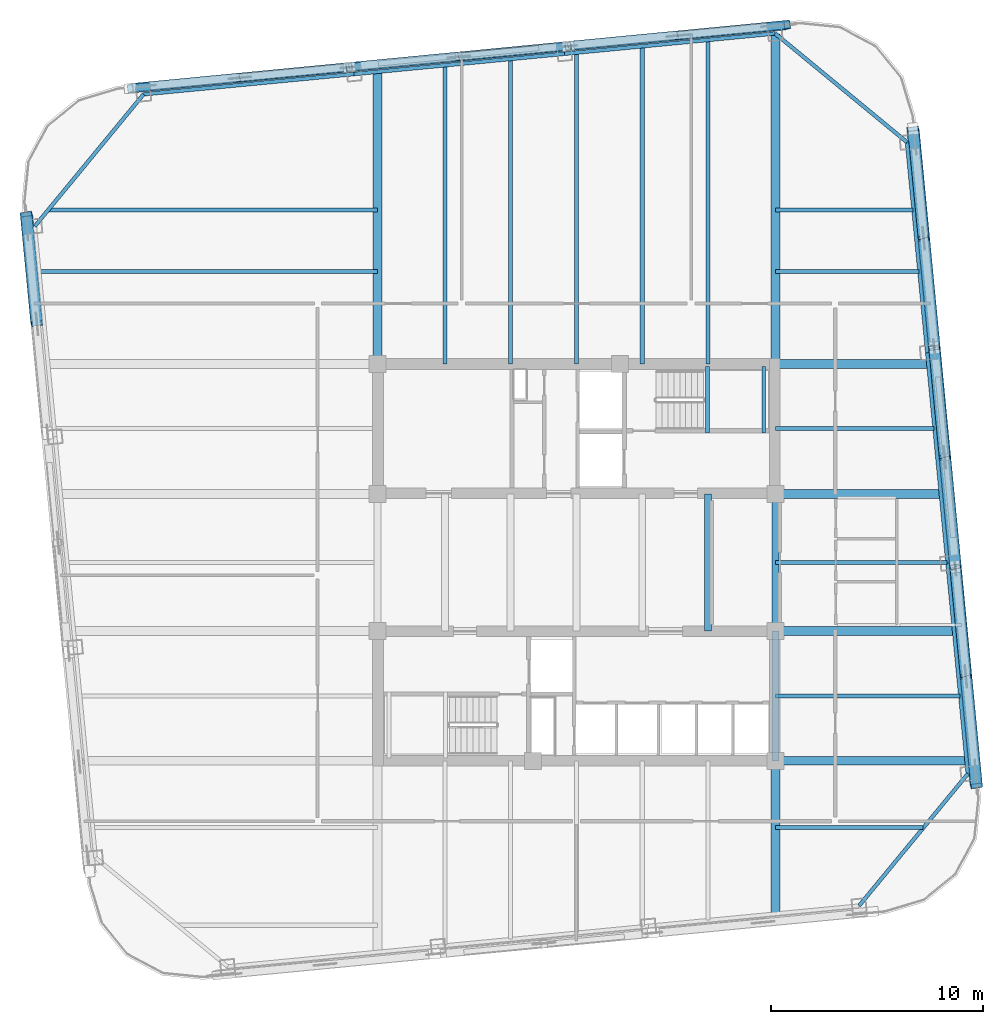
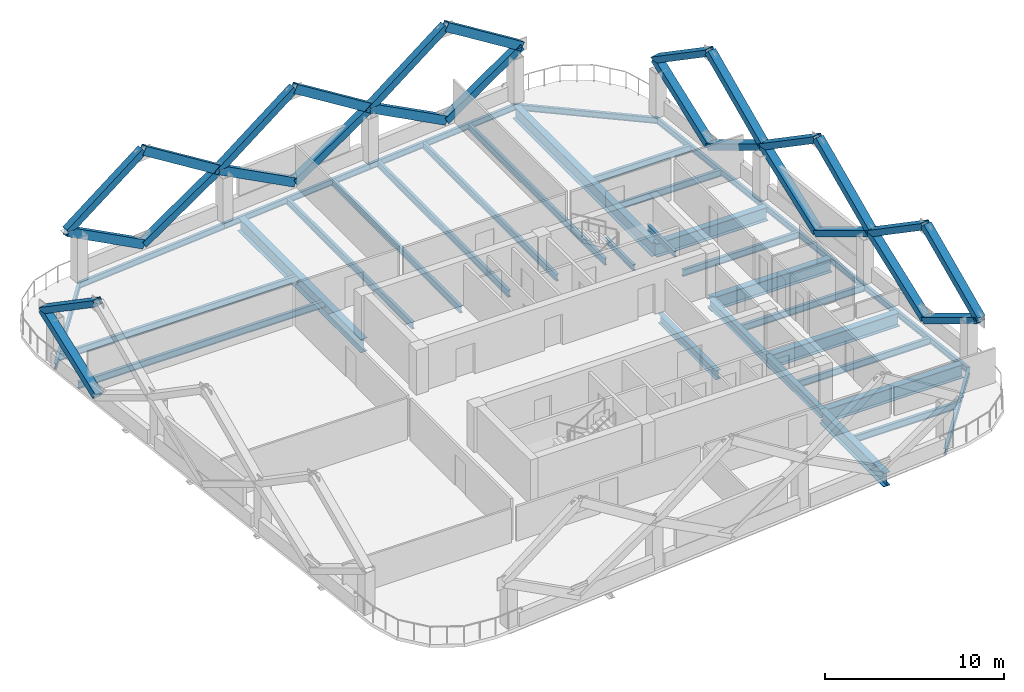
# One storey, part 2 of 9: 34 beams, 26 members.
"""IFC4 building model written with IfcOpenShell, lengths in metres."""

from ifc_helpers import new_model, si_unit, direction, frame, origin, origin_2d, place, context, subcontext, project, spatial, hollow_rectangle, i_section, extrude, material, material_profile, profile_set, type_object, element, save


model = new_model("IFC4")

# Units and contexts
model_context = context("Model", 3, precision=1e-05, world=origin(), true_north=direction((0.0, 1.0)))
body_context = subcontext(model_context, "Body", "Model", "MODEL_VIEW")
ifc_project = project(units=[si_unit("LENGTHUNIT", "METRE"), si_unit("AREAUNIT", "SQUARE_METRE"), si_unit("VOLUMEUNIT", "CUBIC_METRE"), si_unit("PLANEANGLEUNIT", "RADIAN"), si_unit("MASSUNIT", "GRAM", prefix="KILO")], contexts=[model_context])

# Site, building, storey
site_placement = place(None, origin())
site = spatial("IfcSite", under=ifc_project, at=site_placement, CompositionType="ELEMENT")
building_placement = place(site_placement, origin())
building = spatial("IfcBuilding", under=site, at=building_placement, Name="Qhalaya Broadcast Tower", CompositionType="ELEMENT")
storey_placement = place(building_placement, frame((0.0, 0.0, 180.550048828125)))
storey = spatial("IfcBuildingStorey", under=building, at=storey_placement, Name="L53", CompositionType="ELEMENT", Elevation=180.550048828125)

# Beams
ifc_material_1 = material(Name="Structural Steel ASTM A992 Grade 50", Category="steel")
ifc_material_profile_1 = material_profile(ifc_material_1, i_section(OverallWidth=0.19189453125, OverallDepth=0.462890625, WebThickness=0.010498046875, FlangeThickness=0.017578125, at=origin_2d()), Name="W18X60")
ifc_profile_set_1 = profile_set([ifc_material_profile_1], Name="Structural Steel ASTM A992 Grade 50")
beam_type_1 = type_object("IfcBeamType", Name="Composite Floor Joist J03", PredefinedType="JOIST", material=ifc_profile_set_1)
beam_1_placement = place(storey_placement, frame((-6.199951171875, 9.949951171875, -0.45166015625), z_axis=(0.0, 1.0, 0.0), x_axis=(-1.0, 0.0, 0.0)))
element("IfcBeam", 1, at=beam_1_placement, inside=storey, type_object=beam_type_1, Name="L53 J03 L53-JNN1-1", PredefinedType="JOIST", context=body_context, shape_type="SweptSolid", body=[
    extrude(i_section(OverallWidth=0.19189453125, OverallDepth=0.462890625, WebThickness=0.010498046875, FlangeThickness=0.017578125, at=origin_2d()), origin(), (0.0, 0.0, 1.0), 14.059326171875),
])
beam_2_placement = place(storey_placement, frame((-3.10009765625, 9.949951171875, -0.45166015625), z_axis=(0.0, 1.0, 0.0), x_axis=(-1.0, 0.0, 0.0)))
element("IfcBeam", 2, at=beam_2_placement, inside=storey, type_object=beam_type_1, Name="L53 J03 L53-JNN2-1", PredefinedType="JOIST", context=body_context, shape_type="SweptSolid", body=[
    extrude(i_section(OverallWidth=0.19189453125, OverallDepth=0.462890625, WebThickness=0.010498046875, FlangeThickness=0.017578125, at=origin_2d()), origin(), (0.0, 0.0, 1.0), 14.35791015625),
])
beam_3_placement = place(storey_placement, frame((0.0, 9.949951171875, -0.45166015625), z_axis=(0.0, 1.0, 0.0), x_axis=(-1.0, 0.0, 0.0)))
element("IfcBeam", 3, at=beam_3_placement, inside=storey, type_object=beam_type_1, Name="L53 J03 L53-JNN3-1", PredefinedType="JOIST", context=body_context, shape_type="SweptSolid", body=[
    extrude(i_section(OverallWidth=0.19189453125, OverallDepth=0.462890625, WebThickness=0.010498046875, FlangeThickness=0.017578125, at=origin_2d()), origin(), (0.0, 0.0, 1.0), 14.65625),
])
beam_4_placement = place(storey_placement, frame((3.10009765625, 9.949951171875, -0.45166015625), z_axis=(0.0, 1.0, 0.0), x_axis=(-1.0, 0.0, 0.0)))
element("IfcBeam", 4, at=beam_4_placement, inside=storey, type_object=beam_type_1, Name="L53 J03 L53-JNN4-1", PredefinedType="JOIST", context=body_context, shape_type="SweptSolid", body=[
    extrude(i_section(OverallWidth=0.19189453125, OverallDepth=0.462890625, WebThickness=0.010498046875, FlangeThickness=0.017578125, at=origin_2d()), origin(), (0.0, 0.0, 1.0), 14.954833984375),
])
beam_5_placement = place(storey_placement, frame((6.199951171875, 9.949951171875, -0.45166015625), z_axis=(0.0, 1.0, 0.0), x_axis=(-1.0, 0.0, 0.0)))
element("IfcBeam", 5, at=beam_5_placement, inside=storey, type_object=beam_type_1, Name="L53 J03 L53-JNN5-1", PredefinedType="JOIST", context=body_context, shape_type="SweptSolid", body=[
    extrude(i_section(OverallWidth=0.19189453125, OverallDepth=0.462890625, WebThickness=0.010498046875, FlangeThickness=0.017578125, at=origin_2d()), origin(), (0.0, 0.0, 1.0), 15.25341796875),
])
beam_6_placement = place(storey_placement, frame((9.375, -11.89990234375, -0.45166015625), z_axis=(1.0, 0.0, 0.0), x_axis=(0.0, 1.0, 0.0)))
element("IfcBeam", 6, at=beam_6_placement, inside=storey, type_object=beam_type_1, Name="L53 J03 L53-JWE2E-1", PredefinedType="JOIST", context=body_context, shape_type="SweptSolid", body=[
    extrude(i_section(OverallWidth=0.19189453125, OverallDepth=0.462890625, WebThickness=0.010498046875, FlangeThickness=0.017578125, at=origin_2d()), origin(), (0.0, 0.0, 1.0), 6.95458984375),
])
beam_7_placement = place(storey_placement, frame((9.375, -5.699951171875, -0.45166015625), z_axis=(1.0, 0.0, 0.0), x_axis=(0.0, 1.0, 0.0)))
element("IfcBeam", 7, at=beam_7_placement, inside=storey, type_object=beam_type_1, Name="L53 J03 L53-JWE3E-1", PredefinedType="JOIST", context=body_context, shape_type="SweptSolid", body=[
    extrude(i_section(OverallWidth=0.19189453125, OverallDepth=0.462890625, WebThickness=0.010498046875, FlangeThickness=0.017578125, at=origin_2d()), origin(), (0.0, 0.0, 1.0), 8.7001953125),
])
beam_8_placement = place(storey_placement, frame((9.375, 0.60009765625, -0.45166015625), z_axis=(1.0, 0.0, 0.0), x_axis=(0.0, 1.0, 0.0)))
element("IfcBeam", 8, at=beam_8_placement, inside=storey, type_object=beam_type_1, Name="L53 J03 L53-JWE4E-1", PredefinedType="JOIST", context=body_context, shape_type="SweptSolid", body=[
    extrude(i_section(OverallWidth=0.19189453125, OverallDepth=0.462890625, WebThickness=0.010498046875, FlangeThickness=0.017578125, at=origin_2d()), origin(), (0.0, 0.0, 1.0), 8.093505859375),
])
beam_9_placement = place(storey_placement, frame((9.375, 6.89990234375, -0.45166015625), z_axis=(1.0, 0.0, 0.0), x_axis=(0.0, 1.0, 0.0)))
element("IfcBeam", 9, at=beam_9_placement, inside=storey, type_object=beam_type_1, Name="L53 J03 L53-JWE5E-1", PredefinedType="JOIST", context=body_context, shape_type="SweptSolid", body=[
    extrude(i_section(OverallWidth=0.19189453125, OverallDepth=0.462890625, WebThickness=0.010498046875, FlangeThickness=0.017578125, at=origin_2d()), origin(), (0.0, 0.0, 1.0), 7.48681640625),
])
beam_10_placement = place(storey_placement, frame((-25.301513671875, 14.300048828125, -0.45166015625), z_axis=(1.0, 0.0, 0.0), x_axis=(0.0, 1.0, 0.0)))
element("IfcBeam", 10, at=beam_10_placement, inside=storey, type_object=beam_type_1, Name="L53 J03 L53-JWE6W-1", PredefinedType="JOIST", context=body_context, shape_type="SweptSolid", body=[
    extrude(i_section(OverallWidth=0.19189453125, OverallDepth=0.462890625, WebThickness=0.010498046875, FlangeThickness=0.017578125, at=origin_2d()), origin(), (0.0, 0.0, 1.0), 15.926513671875),
])
beam_11_placement = place(storey_placement, frame((9.375, 14.300048828125, -0.45166015625), z_axis=(1.0, 0.0, 0.0), x_axis=(0.0, 1.0, 0.0)))
element("IfcBeam", 11, at=beam_11_placement, inside=storey, type_object=beam_type_1, Name="L53 J03 L53-JWE6E-1", PredefinedType="JOIST", context=body_context, shape_type="SweptSolid", body=[
    extrude(i_section(OverallWidth=0.19189453125, OverallDepth=0.462890625, WebThickness=0.010498046875, FlangeThickness=0.017578125, at=origin_2d()), origin(), (0.0, 0.0, 1.0), 6.7744140625),
])
beam_12_placement = place(storey_placement, frame((-24.876953125, 17.199951171875, -0.45166015625), z_axis=(1.0, 0.0, 0.0), x_axis=(0.0, 1.0, 0.0)))
element("IfcBeam", 12, at=beam_12_placement, inside=storey, type_object=beam_type_1, Name="L53 J03 L53-JWE7W-1", PredefinedType="JOIST", context=body_context, shape_type="SweptSolid", body=[
    extrude(i_section(OverallWidth=0.19189453125, OverallDepth=0.462890625, WebThickness=0.010498046875, FlangeThickness=0.017578125, at=origin_2d()), origin(), (0.0, 0.0, 1.0), 15.501953125),
])
beam_13_placement = place(storey_placement, frame((9.375, 17.199951171875, -0.45166015625), z_axis=(1.0, 0.0, 0.0), x_axis=(0.0, 1.0, 0.0)))
element("IfcBeam", 13, at=beam_13_placement, inside=storey, type_object=beam_type_1, Name="L53 J03 L53-JWE7E-1", PredefinedType="JOIST", context=body_context, shape_type="SweptSolid", body=[
    extrude(i_section(OverallWidth=0.19189453125, OverallDepth=0.462890625, WebThickness=0.010498046875, FlangeThickness=0.017578125, at=origin_2d()), origin(), (0.0, 0.0, 1.0), 6.4951171875),
])
ifc_material_profile_2 = material_profile(ifc_material_1, i_section(OverallWidth=0.323974609375, OverallDepth=0.612060546875, WebThickness=0.0126953125, FlangeThickness=0.01904296875, at=origin_2d()), Name="W24X104")
ifc_profile_set_2 = profile_set([ifc_material_profile_2], Name="Structural Steel ASTM A992 Grade 50")
beam_type_2 = type_object("IfcBeamType", Name="Core Frame Tie Beam B04", PredefinedType="BEAM", material=ifc_profile_set_2)
beam_14_placement = place(storey_placement, frame((9.375, -8.75, -0.526123046875), z_axis=(0.0, 1.0, 0.0), x_axis=(-1.0, 0.0, 0.0)))
element("IfcBeam", 14, at=beam_14_placement, inside=storey, type_object=beam_type_2, Name="L53 B04 L53-CCS2", PredefinedType="BEAM", context=body_context, shape_type="SweptSolid", body=[
    extrude(i_section(OverallWidth=0.323974609375, OverallDepth=0.612060546875, WebThickness=0.0126953125, FlangeThickness=0.01904296875, at=origin_2d()), origin(), (0.0, 0.0, 1.0), 6.125),
])
for number, where, z_axis, x_axis, name in (
    (15, (9.375, -2.625, -0.526123046875), (0.0, 1.0, 0.0), (-1.0, 0.0, 0.0), "L53 B04 L53-CCE"),
    (16, (6.199951171875, -2.625, -0.526123046875), (0.0, 1.0, 0.0), (-1.0, 0.0, 0.0), "L53 B04 L53-JC5-1"),
):
    element("IfcBeam", number, at=place(storey_placement, frame(where, z_axis=z_axis, x_axis=x_axis)), inside=storey, type_object=beam_type_2, Name=name, PredefinedType="BEAM", context=body_context, shape_type="SweptSolid", body=[
        extrude(i_section(OverallWidth=0.323974609375, OverallDepth=0.612060546875, WebThickness=0.0126953125, FlangeThickness=0.01904296875, at=origin_2d()), origin(), (0.0, 0.0, 1.0), 6.449951171875),
    ])

# Members
ifc_material_2 = material(Name="Structural Steel ASTM A572 Grade 50", Category="steel")
ifc_material_profile_3 = material_profile(ifc_material_2, hollow_rectangle(XDim=0.39990234375, YDim=0.550048828125, WallThickness=0.02490234375, at=origin_2d()), Name="BOX 400x550x25")
ifc_profile_set_3 = profile_set([ifc_material_profile_3], Name="Structural Steel ASTM A572 Grade 50")
member_type = type_object("IfcMemberType", Name="Exoskeleton Diamond Diagonal Mid-High EX3", PredefinedType="BRACE", material=ifc_profile_set_3)
for number, where, z_axis, x_axis, name in (
    (17, (18.346923828125, -4.76708984375, 0.35986328125), (0.08330319543, -0.865084240303, 0.494661333451), (-0.142600199442, 0.480929938227, 0.865084722808), "B4 Exoskeleton Diamond Brace E1-D1"),
    (18, (18.346923828125, -4.76708984375, 0.35986328125), (-0.08330319543, 0.865084240303, 0.494661333451), (0.142600199442, -0.480929938227, 0.865084722808), "B4 Exoskeleton Diamond Brace E1-D2"),
):
    element("IfcMember", number, at=place(storey_placement, frame(where, z_axis=z_axis, x_axis=x_axis)), inside=storey, type_object=member_type, Name=name, PredefinedType="BRACE", context=body_context, shape_type="SweptSolid", body=[
        extrude(hollow_rectangle(XDim=0.39990234375, YDim=0.550048828125, WallThickness=0.02490234375, at=origin_2d()), origin(), (0.0, 0.0, 1.0), 5.964111328125),
    ])
for number, where, z_axis, x_axis, name in (
    (19, (18.84375, -9.926513671875, 3.31005859375), (-0.079934991184, 0.830106225405, 0.551846039877), (0.148056205824, -0.537589290991, 0.830106688402), "B4 Exoskeleton Diamond Brace E1-D3"),
    (20, (17.85009765625, 0.392333984375, 3.31005859375), (0.079934991184, -0.830106225405, 0.551846039877), (-0.148056205824, 0.537589290991, 0.830106688402), "B4 Exoskeleton Diamond Brace E1-D4"),
):
    element("IfcMember", number, at=place(storey_placement, frame(where, z_axis=z_axis, x_axis=x_axis)), inside=storey, type_object=member_type, Name=name, PredefinedType="BRACE", context=body_context, shape_type="SweptSolid", body=[
        extrude(hollow_rectangle(XDim=0.39990234375, YDim=0.550048828125, WallThickness=0.02490234375, at=origin_2d()), origin(), (0.0, 0.0, 1.0), 6.21533203125),
    ])
for number, where, z_axis, x_axis, name in (
    (21, (17.353515625, 5.5517578125, 0.35986328125), (0.083262544057, -0.865087189561, 0.494663019858), (-0.142577811793, 0.480938294405, 0.865083767366), "B4 Exoskeleton Diamond Brace E2-D1"),
    (22, (17.353515625, 5.5517578125, 0.35986328125), (-0.08330319543, 0.865084240303, 0.494661333451), (0.142600199442, -0.480929938227, 0.865084722808), "B4 Exoskeleton Diamond Brace E2-D2"),
):
    element("IfcMember", number, at=place(storey_placement, frame(where, z_axis=z_axis, x_axis=x_axis)), inside=storey, type_object=member_type, Name=name, PredefinedType="BRACE", context=body_context, shape_type="SweptSolid", body=[
        extrude(hollow_rectangle(XDim=0.39990234375, YDim=0.550048828125, WallThickness=0.02490234375, at=origin_2d()), origin(), (0.0, 0.0, 1.0), 5.964111328125),
    ])
for number, where, z_axis, x_axis, name in (
    (23, (17.85009765625, 0.392333984375, 3.31005859375), (-0.079895961891, 0.830108831189, 0.551847772175), (0.148031166082, -0.53759794838, 0.830105547365), "B4 Exoskeleton Diamond Brace E2-D3"),
    (24, (16.856689453125, 10.711181640625, 3.31005859375), (0.079934991184, -0.830106225405, 0.551846039877), (-0.148056205824, 0.537589290991, 0.830106688402), "B4 Exoskeleton Diamond Brace E2-D4"),
):
    element("IfcMember", number, at=place(storey_placement, frame(where, z_axis=z_axis, x_axis=x_axis)), inside=storey, type_object=member_type, Name=name, PredefinedType="BRACE", context=body_context, shape_type="SweptSolid", body=[
        extrude(hollow_rectangle(XDim=0.39990234375, YDim=0.550048828125, WallThickness=0.02490234375, at=origin_2d()), origin(), (0.0, 0.0, 1.0), 6.21533203125),
    ])
member_1_placement = place(storey_placement, frame((16.35986328125, 15.87060546875, 0.35986328125), z_axis=(0.08330319543, -0.865084240303, 0.494661333451), x_axis=(-0.142600199442, 0.480929938227, 0.865084722808)))
element("IfcMember", 25, at=member_1_placement, inside=storey, type_object=member_type, Name="B4 Exoskeleton Diamond Brace E3-D1", PredefinedType="BRACE", context=body_context, shape_type="SweptSolid", body=[
    extrude(hollow_rectangle(XDim=0.39990234375, YDim=0.550048828125, WallThickness=0.02490234375, at=origin_2d()), origin(), (0.0, 0.0, 1.0), 5.964111328125),
])
member_2_placement = place(storey_placement, frame((16.35986328125, 15.87060546875, 0.35986328125), z_axis=(-0.083300245549, 0.865094540257, 0.49464381681), x_axis=(0.142596357076, -0.480913226272, 0.865094646698)))
element("IfcMember", 26, at=member_2_placement, inside=storey, type_object=member_type, Name="B4 Exoskeleton Diamond Brace E3-D2", PredefinedType="BRACE", context=body_context, shape_type="SweptSolid", body=[
    extrude(hollow_rectangle(XDim=0.39990234375, YDim=0.550048828125, WallThickness=0.02490234375, at=origin_2d()), origin(), (0.0, 0.0, 1.0), 5.96435546875),
])
member_3_placement = place(storey_placement, frame((16.856689453125, 10.711181640625, 3.31005859375), z_axis=(-0.079934991184, 0.830106225405, 0.551846039877), x_axis=(0.148056205824, -0.537589290991, 0.830106688402)))
element("IfcMember", 27, at=member_3_placement, inside=storey, type_object=member_type, Name="B4 Exoskeleton Diamond Brace E3-D3", PredefinedType="BRACE", context=body_context, shape_type="SweptSolid", body=[
    extrude(hollow_rectangle(XDim=0.39990234375, YDim=0.550048828125, WallThickness=0.02490234375, at=origin_2d()), origin(), (0.0, 0.0, 1.0), 6.21533203125),
])
member_4_placement = place(storey_placement, frame((15.863037109375, 21.0302734375, 3.31005859375), z_axis=(0.079932384838, -0.830118437918, 0.55182804648), x_axis=(-0.148052062182, 0.537572131291, 0.830118540055)))
element("IfcMember", 28, at=member_4_placement, inside=storey, type_object=member_type, Name="B4 Exoskeleton Diamond Brace E3-D4", PredefinedType="BRACE", context=body_context, shape_type="SweptSolid", body=[
    extrude(hollow_rectangle(XDim=0.39990234375, YDim=0.550048828125, WallThickness=0.02490234375, at=origin_2d()), origin(), (0.0, 0.0, 1.0), 6.215576171875),
])
for number, where, z_axis, x_axis, name in (
    (29, (4.76708984375, 25.427001953125, 0.35986328125), (0.865084240303, 0.08330319543, 0.494661333451), (-0.142603126534, 0.986268604768, 0.083298184569), "B4 Exoskeleton Diamond Brace N1-D1"),
    (30, (4.76708984375, 25.427001953125, 0.35986328125), (-0.865084240303, -0.08330319543, 0.494661333451), (0.142603126534, -0.986268604768, 0.083298184569), "B4 Exoskeleton Diamond Brace N1-D2"),
):
    element("IfcMember", number, at=place(storey_placement, frame(where, z_axis=z_axis, x_axis=x_axis)), inside=storey, type_object=member_type, Name=name, PredefinedType="BRACE", context=body_context, shape_type="SweptSolid", body=[
        extrude(hollow_rectangle(XDim=0.39990234375, YDim=0.550048828125, WallThickness=0.02490234375, at=origin_2d()), origin(), (0.0, 0.0, 1.0), 5.964111328125),
    ])
for number, where, z_axis, x_axis, name in (
    (31, (9.926513671875, 25.923828125, 3.31005859375), (-0.830106225405, -0.079934991184, 0.551846039877), (0.148058801683, -0.985743251106, 0.079930182929), "B4 Exoskeleton Diamond Brace N1-D3"),
    (32, (-0.392333984375, 24.93017578125, 3.31005859375), (0.830106225405, 0.079934991184, 0.551846039877), (-0.148058801683, 0.985743251106, 0.079930182929), "B4 Exoskeleton Diamond Brace N1-D4"),
):
    element("IfcMember", number, at=place(storey_placement, frame(where, z_axis=z_axis, x_axis=x_axis)), inside=storey, type_object=member_type, Name=name, PredefinedType="BRACE", context=body_context, shape_type="SweptSolid", body=[
        extrude(hollow_rectangle(XDim=0.39990234375, YDim=0.550048828125, WallThickness=0.02490234375, at=origin_2d()), origin(), (0.0, 0.0, 1.0), 6.21533203125),
    ])
for number, where, z_axis, x_axis, name in (
    (33, (-5.5517578125, 24.433349609375, 0.35986328125), (0.865084240303, 0.08330319543, 0.494661333451), (-0.142603126534, 0.986268604768, 0.083298184569), "B4 Exoskeleton Diamond Brace N2-D1"),
    (34, (-5.5517578125, 24.433349609375, 0.35986328125), (-0.865084240303, -0.08330319543, 0.494661333451), (0.142603126534, -0.986268604768, 0.083298184569), "B4 Exoskeleton Diamond Brace N2-D2"),
):
    element("IfcMember", number, at=place(storey_placement, frame(where, z_axis=z_axis, x_axis=x_axis)), inside=storey, type_object=member_type, Name=name, PredefinedType="BRACE", context=body_context, shape_type="SweptSolid", body=[
        extrude(hollow_rectangle(XDim=0.39990234375, YDim=0.550048828125, WallThickness=0.02490234375, at=origin_2d()), origin(), (0.0, 0.0, 1.0), 5.964111328125),
    ])
for number, where, z_axis, x_axis, name in (
    (35, (-0.392333984375, 24.93017578125, 3.31005859375), (-0.830106225405, -0.079934991184, 0.551846039877), (0.148058801683, -0.985743251106, 0.079930182929), "B4 Exoskeleton Diamond Brace N2-D3"),
    (36, (-10.711181640625, 23.9365234375, 3.31005859375), (0.830106225405, 0.079934991184, 0.551846039877), (-0.148058801683, 0.985743251106, 0.079930182929), "B4 Exoskeleton Diamond Brace N2-D4"),
):
    element("IfcMember", number, at=place(storey_placement, frame(where, z_axis=z_axis, x_axis=x_axis)), inside=storey, type_object=member_type, Name=name, PredefinedType="BRACE", context=body_context, shape_type="SweptSolid", body=[
        extrude(hollow_rectangle(XDim=0.39990234375, YDim=0.550048828125, WallThickness=0.02490234375, at=origin_2d()), origin(), (0.0, 0.0, 1.0), 6.21533203125),
    ])
member_5_placement = place(storey_placement, frame((-15.87060546875, 23.439697265625, 0.35986328125), z_axis=(0.865084240303, 0.08330319543, 0.494661333451), x_axis=(-0.142603126534, 0.986268604768, 0.083298184569)))
element("IfcMember", 37, at=member_5_placement, inside=storey, type_object=member_type, Name="B4 Exoskeleton Diamond Brace N3-D1", PredefinedType="BRACE", context=body_context, shape_type="SweptSolid", body=[
    extrude(hollow_rectangle(XDim=0.39990234375, YDim=0.550048828125, WallThickness=0.02490234375, at=origin_2d()), origin(), (0.0, 0.0, 1.0), 5.964111328125),
])
member_6_placement = place(storey_placement, frame((-15.87060546875, 23.439697265625, 0.35986328125), z_axis=(-0.865097489342, -0.083259595596, 0.494645503038), x_axis=(0.142550924619, -0.98627607822, 0.083299048147)))
element("IfcMember", 38, at=member_6_placement, inside=storey, type_object=member_type, Name="B4 Exoskeleton Diamond Brace N3-D2", PredefinedType="BRACE", context=body_context, shape_type="SweptSolid", body=[
    extrude(hollow_rectangle(XDim=0.39990234375, YDim=0.550048828125, WallThickness=0.02490234375, at=origin_2d()), origin(), (0.0, 0.0, 1.0), 5.96435546875),
])
member_7_placement = place(storey_placement, frame((-10.711181640625, 23.9365234375, 3.31005859375), z_axis=(-0.830106225405, -0.079934991184, 0.551846039877), x_axis=(0.148058801683, -0.985743251106, 0.079930182929)))
element("IfcMember", 39, at=member_7_placement, inside=storey, type_object=member_type, Name="B4 Exoskeleton Diamond Brace N3-D3", PredefinedType="BRACE", context=body_context, shape_type="SweptSolid", body=[
    extrude(hollow_rectangle(XDim=0.39990234375, YDim=0.550048828125, WallThickness=0.02490234375, at=origin_2d()), origin(), (0.0, 0.0, 1.0), 6.21533203125),
])
member_8_placement = place(storey_placement, frame((-21.0302734375, 22.943115234375, 3.31005859375), z_axis=(0.830121043571, 0.079893356801, 0.551829778609), x_axis=(-0.148006585657, 0.985751008921, 0.07993121426)))
element("IfcMember", 40, at=member_8_placement, inside=storey, type_object=member_type, Name="B4 Exoskeleton Diamond Brace N3-D4", PredefinedType="BRACE", context=body_context, shape_type="SweptSolid", body=[
    extrude(hollow_rectangle(XDim=0.39990234375, YDim=0.550048828125, WallThickness=0.02490234375, at=origin_2d()), origin(), (0.0, 0.0, 1.0), 6.215576171875),
])
member_9_placement = place(storey_placement, frame((-25.427001953125, 11.84716796875, 0.35986328125), z_axis=(-0.08330319543, 0.865084240303, 0.494661333451), x_axis=(0.142600199442, -0.480929938227, 0.865084722808)))
element("IfcMember", 41, at=member_9_placement, inside=storey, type_object=member_type, Name="B4 Exoskeleton Diamond Brace W1-D1", PredefinedType="BRACE", context=body_context, shape_type="SweptSolid", body=[
    extrude(hollow_rectangle(XDim=0.39990234375, YDim=0.550048828125, WallThickness=0.02490234375, at=origin_2d()), origin(), (0.0, 0.0, 1.0), 5.964111328125),
])
member_10_placement = place(storey_placement, frame((-25.923828125, 17.006591796875, 3.31005859375), z_axis=(0.079934991184, -0.830106225405, 0.551846039877), x_axis=(-0.148056205824, 0.537589290991, 0.830106688402)))
element("IfcMember", 42, at=member_10_placement, inside=storey, type_object=member_type, Name="B4 Exoskeleton Diamond Brace W1-D3", PredefinedType="BRACE", context=body_context, shape_type="SweptSolid", body=[
    extrude(hollow_rectangle(XDim=0.39990234375, YDim=0.550048828125, WallThickness=0.02490234375, at=origin_2d()), origin(), (0.0, 0.0, 1.0), 6.21533203125),
])

# Beams
ifc_material_profile_4 = material_profile(ifc_material_1, i_section(OverallWidth=0.4189453125, OverallDepth=0.927001953125, WebThickness=0.019287109375, FlangeThickness=0.031982421875, at=origin_2d()), Name="W36X231")
ifc_profile_set_4 = profile_set([ifc_material_profile_4], Name="Structural Steel ASTM A992 Grade 50")
beam_type_3 = type_object("IfcBeamType", Name="Mid Block Primary Girder PG3", PredefinedType="USERDEFINED", material=ifc_profile_set_4)
beam_15_placement = place(storey_placement, frame((-9.375, 9.949951171875, -0.68359375), z_axis=(0.0, 1.0, 0.0), x_axis=(-1.0, 0.0, 0.0)))
element("IfcBeam", 43, at=beam_15_placement, inside=storey, type_object=beam_type_3, Name="L53 PG3 L53-PGXN1-1", ObjectType="GIRDER", PredefinedType="USERDEFINED", context=body_context, shape_type="SweptSolid", body=[
    extrude(i_section(OverallWidth=0.4189453125, OverallDepth=0.927001953125, WebThickness=0.019287109375, FlangeThickness=0.031982421875, at=origin_2d()), origin(), (0.0, 0.0, 1.0), 13.753662109375),
])
beam_16_placement = place(storey_placement, frame((9.375, -15.94189453125, -0.68359375), z_axis=(0.0, 1.0, 0.0), x_axis=(-1.0, 0.0, 0.0)))
element("IfcBeam", 44, at=beam_16_placement, inside=storey, type_object=beam_type_3, Name="L53 PG3 L53-PGXS2-1", ObjectType="GIRDER", PredefinedType="USERDEFINED", context=body_context, shape_type="SweptSolid", body=[
    extrude(i_section(OverallWidth=0.4189453125, OverallDepth=0.927001953125, WebThickness=0.019287109375, FlangeThickness=0.031982421875, at=origin_2d()), origin(), (0.0, 0.0, 1.0), 7.19189453125),
])
beam_17_placement = place(storey_placement, frame((9.375, 9.949951171875, -0.68359375), z_axis=(0.0, 1.0, 0.0), x_axis=(-1.0, 0.0, 0.0)))
element("IfcBeam", 45, at=beam_17_placement, inside=storey, type_object=beam_type_3, Name="L53 PG3 L53-PGXN2-1", ObjectType="GIRDER", PredefinedType="USERDEFINED", context=body_context, shape_type="SweptSolid", body=[
    extrude(i_section(OverallWidth=0.4189453125, OverallDepth=0.927001953125, WebThickness=0.019287109375, FlangeThickness=0.031982421875, at=origin_2d()), origin(), (0.0, 0.0, 1.0), 15.541259765625),
])
beam_18_placement = place(storey_placement, frame((9.375, -8.75, -0.68359375), z_axis=(1.0, 0.0, 0.0), x_axis=(0.0, 1.0, 0.0)))
element("IfcBeam", 46, at=beam_18_placement, inside=storey, type_object=beam_type_3, Name="L53 PG3 L53-PGYE1-1", ObjectType="GIRDER", PredefinedType="USERDEFINED", context=body_context, shape_type="SweptSolid", body=[
    extrude(i_section(OverallWidth=0.4189453125, OverallDepth=0.927001953125, WebThickness=0.019287109375, FlangeThickness=0.031982421875, at=origin_2d()), origin(), (0.0, 0.0, 1.0), 8.993896484375),
])
beam_19_placement = place(storey_placement, frame((9.375, -2.625, -0.68359375), z_axis=(1.0, 0.0, 0.0), x_axis=(0.0, 1.0, 0.0)))
element("IfcBeam", 47, at=beam_19_placement, inside=storey, type_object=beam_type_3, Name="L53 PG3 L53-PGYE2-1", ObjectType="GIRDER", PredefinedType="USERDEFINED", context=body_context, shape_type="SweptSolid", body=[
    extrude(i_section(OverallWidth=0.4189453125, OverallDepth=0.927001953125, WebThickness=0.019287109375, FlangeThickness=0.031982421875, at=origin_2d()), origin(), (0.0, 0.0, 1.0), 8.404052734375),
])
beam_20_placement = place(storey_placement, frame((9.375, 3.824951171875, -0.68359375), z_axis=(1.0, 0.0, 0.0), x_axis=(0.0, 1.0, 0.0)))
element("IfcBeam", 48, at=beam_20_placement, inside=storey, type_object=beam_type_3, Name="L53 PG3 L53-PGYE3-1", ObjectType="GIRDER", PredefinedType="USERDEFINED", context=body_context, shape_type="SweptSolid", body=[
    extrude(i_section(OverallWidth=0.4189453125, OverallDepth=0.927001953125, WebThickness=0.019287109375, FlangeThickness=0.031982421875, at=origin_2d()), origin(), (0.0, 0.0, 1.0), 7.782958984375),
])
beam_21_placement = place(storey_placement, frame((9.375, 9.949951171875, -0.68359375), z_axis=(1.0, 0.0, 0.0), x_axis=(0.0, 1.0, 0.0)))
element("IfcBeam", 49, at=beam_21_placement, inside=storey, type_object=beam_type_3, Name="L53 PG3 L53-PGYE4-1", ObjectType="GIRDER", PredefinedType="USERDEFINED", context=body_context, shape_type="SweptSolid", body=[
    extrude(i_section(OverallWidth=0.4189453125, OverallDepth=0.927001953125, WebThickness=0.019287109375, FlangeThickness=0.031982421875, at=origin_2d()), origin(), (0.0, 0.0, 1.0), 7.193115234375),
])
ifc_material_profile_5 = material_profile(ifc_material_1, i_section(OverallWidth=0.177978515625, OverallDepth=0.406005859375, WebThickness=0.0078125, FlangeThickness=0.0126953125, at=origin_2d()), Name="W16X40")
ifc_profile_set_5 = profile_set([ifc_material_profile_5], Name="Structural Steel ASTM A992 Grade 50")
beam_type_4 = type_object("IfcBeamType", Name="Upper Perimeter Spandrel Beam SP2", PredefinedType="SPANDREL", material=ifc_profile_set_5)
beam_22_placement = place(storey_placement, frame((13.3203125, -15.58203125, -0.423095703125), z_axis=(0.636085107008, 0.771618906354, 0.0), x_axis=(-0.771618906354, 0.636085107008, 0.0)))
element("IfcBeam", 50, at=beam_22_placement, inside=storey, type_object=beam_type_4, Name="L53 SP2 L53-SPR-04", PredefinedType="SPANDREL", context=body_context, shape_type="SweptSolid", body=[
    extrude(i_section(OverallWidth=0.177978515625, OverallDepth=0.406005859375, WebThickness=0.0078125, FlangeThickness=0.0126953125, at=origin_2d()), origin(), (0.0, 0.0, 1.0), 8.06103515625),
])
beam_23_placement = place(storey_placement, frame((18.44775390625, -9.362060546875, -0.423095703125), z_axis=(-0.095826293365, 0.995398071879, 0.0), x_axis=(-0.995398071879, -0.095826293365, 0.0)))
element("IfcBeam", 51, at=beam_23_placement, inside=storey, type_object=beam_type_4, Name="L53 SP2 L53-SPR-05", PredefinedType="SPANDREL", context=body_context, shape_type="SweptSolid", body=[
    extrude(i_section(OverallWidth=0.177978515625, OverallDepth=0.406005859375, WebThickness=0.0078125, FlangeThickness=0.0126953125, at=origin_2d()), origin(), (0.0, 0.0, 1.0), 9.966796875),
])
beam_24_placement = place(storey_placement, frame((17.49267578125, 0.558837890625, -0.423095703125), z_axis=(-0.095852900965, 0.995395510024, 0.0), x_axis=(-0.995395510024, -0.095852900965, 0.0)))
element("IfcBeam", 52, at=beam_24_placement, inside=storey, type_object=beam_type_4, Name="L53 SP2 L53-SPR-06", PredefinedType="SPANDREL", context=body_context, shape_type="SweptSolid", body=[
    extrude(i_section(OverallWidth=0.177978515625, OverallDepth=0.406005859375, WebThickness=0.0078125, FlangeThickness=0.0126953125, at=origin_2d()), origin(), (0.0, 0.0, 1.0), 9.966552734375),
])
beam_25_placement = place(storey_placement, frame((16.537353515625, 10.4794921875, -0.423095703125), z_axis=(-0.095850563819, 0.99539573508, 0.0), x_axis=(-0.99539573508, -0.095850563819, 0.0)))
element("IfcBeam", 53, at=beam_25_placement, inside=storey, type_object=beam_type_4, Name="L53 SP2 L53-SPR-07", PredefinedType="SPANDREL", context=body_context, shape_type="SweptSolid", body=[
    extrude(i_section(OverallWidth=0.177978515625, OverallDepth=0.406005859375, WebThickness=0.0078125, FlangeThickness=0.0126953125, at=origin_2d()), origin(), (0.0, 0.0, 1.0), 9.966796875),
])
beam_26_placement = place(storey_placement, frame((15.58203125, 20.400390625, -0.423095703125), z_axis=(-0.771618906354, 0.636085107008, 0.0), x_axis=(-0.636085107008, -0.771618906354, 0.0)))
element("IfcBeam", 54, at=beam_26_placement, inside=storey, type_object=beam_type_4, Name="L53 SP2 L53-SPR-08", PredefinedType="SPANDREL", context=body_context, shape_type="SweptSolid", body=[
    extrude(i_section(OverallWidth=0.177978515625, OverallDepth=0.406005859375, WebThickness=0.0078125, FlangeThickness=0.0126953125, at=origin_2d()), origin(), (0.0, 0.0, 1.0), 8.06103515625),
])
beam_27_placement = place(storey_placement, frame((9.362060546875, 25.52783203125, -0.423095703125), z_axis=(-0.99539573508, -0.095850563819, 0.0), x_axis=(0.095850563819, -0.99539573508, 0.0)))
element("IfcBeam", 55, at=beam_27_placement, inside=storey, type_object=beam_type_4, Name="L53 SP2 L53-SPR-09", PredefinedType="SPANDREL", context=body_context, shape_type="SweptSolid", body=[
    extrude(i_section(OverallWidth=0.177978515625, OverallDepth=0.406005859375, WebThickness=0.0078125, FlangeThickness=0.0126953125, at=origin_2d()), origin(), (0.0, 0.0, 1.0), 9.966796875),
])
beam_28_placement = place(storey_placement, frame((-0.558837890625, 24.572509765625, -0.423095703125), z_axis=(-0.995395510024, -0.095852900965, 0.0), x_axis=(0.095852900965, -0.995395510024, 0.0)))
element("IfcBeam", 56, at=beam_28_placement, inside=storey, type_object=beam_type_4, Name="L53 SP2 L53-SPR-10", PredefinedType="SPANDREL", context=body_context, shape_type="SweptSolid", body=[
    extrude(i_section(OverallWidth=0.177978515625, OverallDepth=0.406005859375, WebThickness=0.0078125, FlangeThickness=0.0126953125, at=origin_2d()), origin(), (0.0, 0.0, 1.0), 9.966552734375),
])
beam_29_placement = place(storey_placement, frame((-10.4794921875, 23.6171875, -0.423095703125), z_axis=(-0.995398071879, -0.095826293365, 0.0), x_axis=(0.095826293365, -0.995398071879, 0.0)))
element("IfcBeam", 57, at=beam_29_placement, inside=storey, type_object=beam_type_4, Name="L53 SP2 L53-SPR-11", PredefinedType="SPANDREL", context=body_context, shape_type="SweptSolid", body=[
    extrude(i_section(OverallWidth=0.177978515625, OverallDepth=0.406005859375, WebThickness=0.0078125, FlangeThickness=0.0126953125, at=origin_2d()), origin(), (0.0, 0.0, 1.0), 9.966796875),
])
beam_30_placement = place(storey_placement, frame((-20.400390625, 22.662109375, -0.423095703125), z_axis=(-0.636070241972, -0.771631160126, 0.0), x_axis=(0.771631160126, -0.636070241972, 0.0)))
element("IfcBeam", 58, at=beam_30_placement, inside=storey, type_object=beam_type_4, Name="L53 SP2 L53-SPR-12", PredefinedType="SPANDREL", context=body_context, shape_type="SweptSolid", body=[
    extrude(i_section(OverallWidth=0.177978515625, OverallDepth=0.406005859375, WebThickness=0.0078125, FlangeThickness=0.0126953125, at=origin_2d()), origin(), (0.0, 0.0, 1.0), 8.06103515625),
])
for number, where, z_axis, x_axis, name in (
    (59, (6.175048828125, 6.699951171875, 1.1220703125), (0.0, 1.0, 0.0), (-1.0, 0.0, 0.0), "L53 ST-1 Half-Landing Bearer Beam 1"),
    (60, (8.830078125, 6.699951171875, 1.1220703125), (0.0, 1.0, 0.0), (-1.0, 0.0, 0.0), "L53 ST-1 Half-Landing Bearer Beam 2"),
):
    element("IfcBeam", number, at=place(storey_placement, frame(where, z_axis=z_axis, x_axis=x_axis)), inside=storey, type_object=beam_type_4, Name=name, PredefinedType="SPANDREL", context=body_context, shape_type="SweptSolid", body=[
        extrude(i_section(OverallWidth=0.177978515625, OverallDepth=0.406005859375, WebThickness=0.0078125, FlangeThickness=0.0126953125, at=origin_2d()), origin(), (0.0, 0.0, 1.0), 3.1201171875),
    ])

save(model, "model.ifc")
